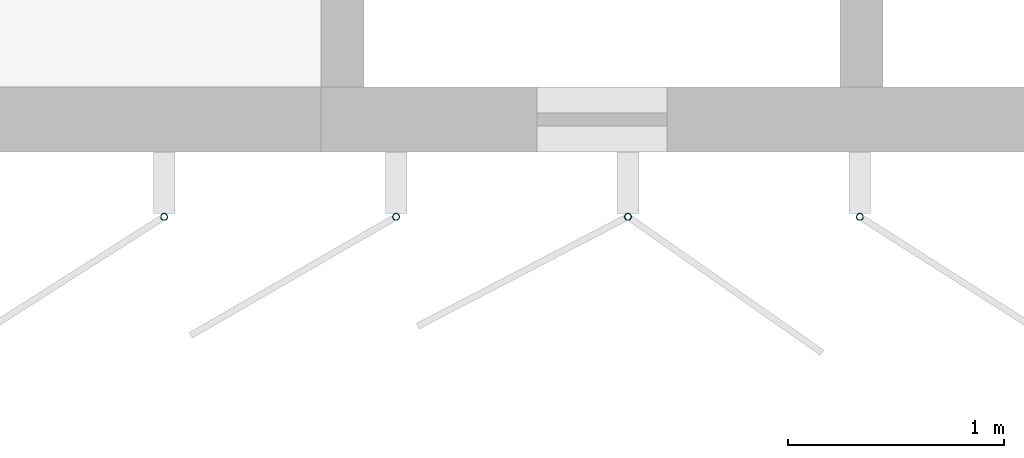
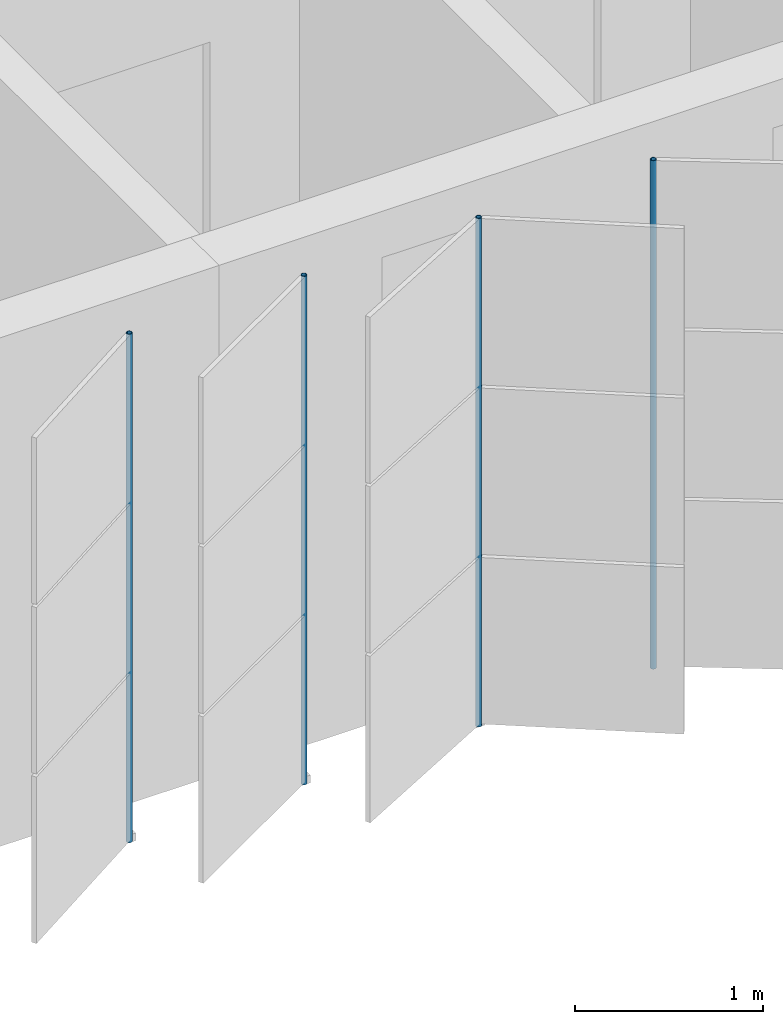
# One storey, part 88 of 199: 4 discrete accessories.
"""IFC4 building model written with IfcOpenShell, lengths in metres."""

from ifc_helpers import new_model, si_unit, direction, frame, origin, origin_2d, place, context, subcontext, project, spatial, hollow_circle, extrude, material, material_profile, profile_set, type_object, element, save


model = new_model("IFC4")

# Units and contexts
model_context = context("Model", 3, precision=1e-05, world=origin(), true_north=direction((0.0, 1.0)))
body_context = subcontext(model_context, "Body", "Model", "MODEL_VIEW")
ifc_project = project(units=[si_unit("LENGTHUNIT", "METRE"), si_unit("AREAUNIT", "SQUARE_METRE"), si_unit("VOLUMEUNIT", "CUBIC_METRE"), si_unit("PLANEANGLEUNIT", "RADIAN"), si_unit("MASSUNIT", "GRAM", prefix="KILO")], contexts=[model_context])

# Site, building, storey
site_placement = place(None, origin())
site = spatial("IfcSite", under=ifc_project, at=site_placement, CompositionType="ELEMENT")
building_placement = place(site_placement, origin())
building = spatial("IfcBuilding", under=site, at=building_placement, Name="Parallax Yard Mobility Hub", CompositionType="ELEMENT")
storey_placement = place(building_placement, frame((0.0, 0.0, 9.89990234375)))
storey = spatial("IfcBuildingStorey", under=building, at=storey_placement, Name="L03", CompositionType="ELEMENT", Elevation=9.89990234375)

# Discrete accessories
ifc_material = material(Name="Steel ASTM A500 Gr C, hot-dip galvanised", Category="steel")
ifc_material_profile = material_profile(ifc_material, hollow_circle(Radius=0.016845703125, WallThickness=0.003173828125, at=origin_2d()), Name="CHS 33.7x3.2")
ifc_profile_set = profile_set([ifc_material_profile], Name="Steel ASTM A500 Gr C, hot-dip galvanised")
discrete_accessory_type = type_object("IfcDiscreteAccessoryType", Name="Hinge post CHS 33.7x3.2", PredefinedType="BRACKET", material=ifc_profile_set)
for number, where, z_axis, x_axis, name in (
    (1, (131.77587890625, 112.199951171875, 0.0), (0.0, 0.0, 1.0), (1.0, 0.0, 0.0), "Hinge post bay 13.5 level L03"),
    (2, (132.84814453125, 112.199951171875, 0.0), (0.0, 0.0, 1.0), (1.0, 0.0, 0.0), "Hinge post bay 13.6 level L03"),
    (3, (133.92041015625, 112.199951171875, 0.0), (0.0, 0.0, 1.0), (1.0, 0.0, 0.0), "Hinge post bay 13.7 level L03"),
    (4, (134.992431640625, 112.199951171875, 0.0), (0.0, 0.0, 1.0), (1.0, 0.0, 0.0), "Hinge post bay 13.8 level L03"),
):
    element("IfcDiscreteAccessory", number, at=place(storey_placement, frame(where, z_axis=z_axis, x_axis=x_axis)), inside=storey, type_object=discrete_accessory_type, Name=name, PredefinedType="BRACKET", context=body_context, shape_type="SweptSolid", body=[
        extrude(hollow_circle(Radius=0.016845703125, WallThickness=0.003173828125, at=origin_2d()), origin(), (0.0, 0.0, 1.0), 3.300048828125),
    ])

save(model, "model.ifc")
